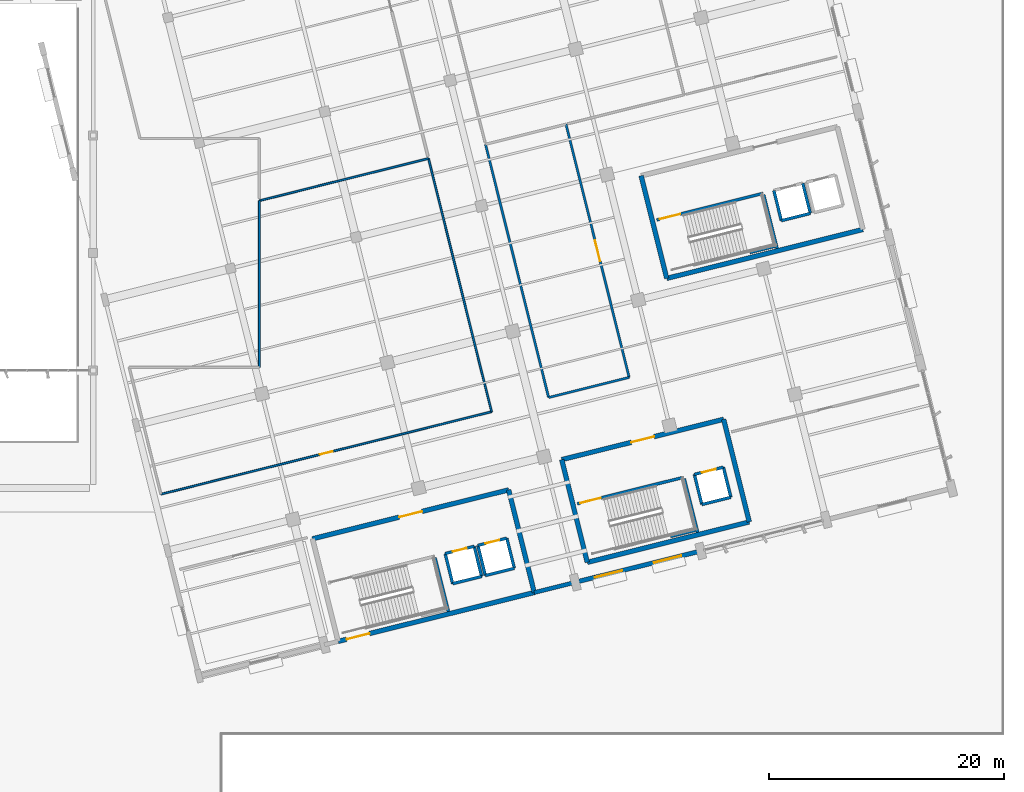
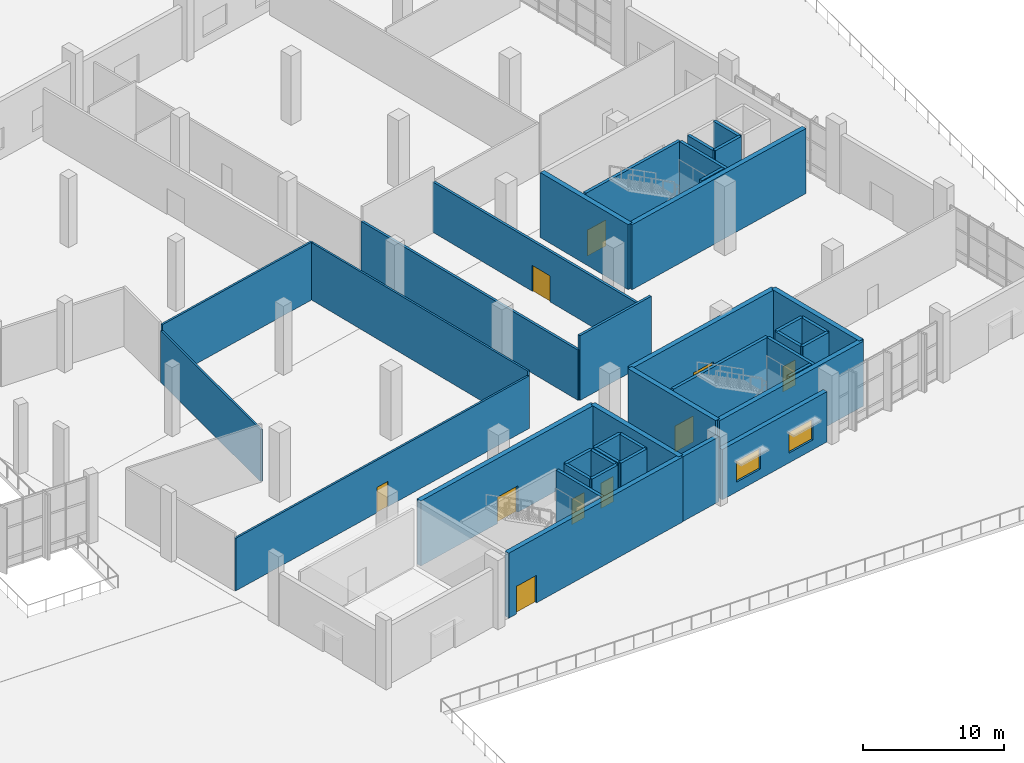
# One storey, part 127 of 163: 40 walls, 10 doors, 2 windows, 12 openings.
"""IFC4 building model written with IfcOpenShell, lengths in metres."""

import ifcopenshell
import ifcopenshell.guid

model = None  # the IFC model being written
_history = None  # IfcOwnerHistory: only IFC2X3 demands one
_inside = {}  # id of a spatial element -> (the spatial element, [elements in it])
_under = {}  # id of a project, library or spatial element -> (it, [spatial elements below it])
_declared = {}  # id of a project -> (the project, [libraries it declares])
_typed = {}  # id of a type object -> (the type object, [elements of that type])
_made_of = {}  # id of a material, layer set ... -> (it, [elements and type objects made of it])


def new_model(schema):
    """Start an empty IFC model of exactly this schema.

    Asked for "IFC4X3", IfcOpenShell would pick the latest addendum, in which some entities
    have other attributes; the version numbers below select the first issue.
    IFC2X3 requires an IfcOwnerHistory on every rooted entity: one is made here for all.
    """
    global model, _history
    if schema == "IFC4X3":
        model = ifcopenshell.file(schema_version=(4, 3, 0, 0))
    else:
        model = ifcopenshell.file(schema=schema)
    _inside.clear()
    _under.clear()
    _declared.clear()
    _typed.clear()
    _made_of.clear()
    _history = None
    if model.schema == "IFC2X3":
        org = make("IfcOrganization", Name="unknown")
        user = make(
            "IfcPersonAndOrganization",
            ThePerson=make("IfcPerson", FamilyName="unknown"),
            TheOrganization=org,
        )
        app = make(
            "IfcApplication",
            ApplicationDeveloper=org,
            Version="unknown",
            ApplicationFullName="unknown",
            ApplicationIdentifier="unknown",
        )
        _history = make(
            "IfcOwnerHistory",
            OwningUser=user,
            OwningApplication=app,
            ChangeAction="ADDED",
            CreationDate=0,
        )
    return model


def make(cls, **values):
    """One entity of the class cls with the attributes given. An attribute that is None is left unset."""
    return model.create_entity(
        cls, **{name: value for name, value in values.items() if value is not None}
    )


def rooted(cls, **values):
    """An entity with a GlobalId (a new one), such as an element, a storey or a relation."""
    return make(cls, GlobalId=ifcopenshell.guid.new(), OwnerHistory=_history, **values)


def si_unit(unit_type, name, prefix=None):
    """IfcSIUnit, for example si_unit("LENGTHUNIT", "METRE", prefix="MILLI")."""
    return make("IfcSIUnit", UnitType=unit_type, Prefix=prefix, Name=name)


def assignment(units):
    """IfcUnitAssignment: the units of a project."""
    return None if units is None else make("IfcUnitAssignment", Units=units)


def point(xyz):
    """IfcCartesianPoint."""
    return None if xyz is None else make("IfcCartesianPoint", Coordinates=xyz)


def direction(xyz):
    """IfcDirection."""
    return None if xyz is None else make("IfcDirection", DirectionRatios=xyz)


def frame(location, z_axis=None, x_axis=None):
    """IfcAxis2Placement3D, a coordinate frame: its origin and axes. An axis left out is left unset."""
    return make(
        "IfcAxis2Placement3D",
        Location=point(location),
        Axis=direction(z_axis),
        RefDirection=direction(x_axis),
    )


def frame_2d(location, x_axis=None):
    """IfcAxis2Placement2D, a coordinate frame in the plane: its origin and x axis."""
    return make(
        "IfcAxis2Placement2D", Location=point(location), RefDirection=direction(x_axis)
    )


def origin():
    """The frame at (0, 0, 0) with its axes left unset."""
    return frame((0.0, 0.0, 0.0))


def place(relative_to, where):
    """IfcLocalPlacement: puts the frame where relative to a parent placement (None: the world)."""
    return make(
        "IfcLocalPlacement", PlacementRelTo=relative_to, RelativePlacement=where
    )


def context(
    kind, dimensions, precision=None, world=None, true_north=None, identifier=None
):
    """IfcGeometricRepresentationContext, for example the 3D "Model" context."""
    return make(
        "IfcGeometricRepresentationContext",
        ContextIdentifier=identifier,
        ContextType=kind,
        CoordinateSpaceDimension=dimensions,
        Precision=precision,
        WorldCoordinateSystem=world,
        TrueNorth=true_north,
    )


def subcontext(parent, identifier, kind, view, scale=None):
    """IfcGeometricRepresentationSubContext, for example "Body" below "Model"."""
    return make(
        "IfcGeometricRepresentationSubContext",
        ContextIdentifier=identifier,
        ContextType=kind,
        ParentContext=parent,
        TargetScale=scale,
        TargetView=view,
    )


def project(units=None, contexts=None):
    """IfcProject with its units and contexts."""
    return rooted(
        "IfcProject",
        Name="project",
        RepresentationContexts=contexts,
        UnitsInContext=assignment(units),
    )


def spatial(cls, under=None, at=None, **own):
    """A site, building, storey or space (cls), placed at a placement, below another one or the project."""
    s = rooted(cls, ObjectPlacement=at, **own)
    if under is not None:
        _under.setdefault(under.id(), (under, []))[1].append(s)
    return s


def profile(cls, at=None, kind="AREA", **sizes):
    """A parametric profile (cls). Its sizes go by their IFC names, for example OverallWidth=200.0."""
    return make(cls, ProfileType=kind, Position=at, **sizes)


def rectangle(**sizes):
    """IfcRectangleProfileDef."""
    return profile("IfcRectangleProfileDef", **sizes)


def extrude(swept, where, along, depth):
    """IfcExtrudedAreaSolid: the profile swept, set in the frame where, extruded along a direction by depth."""
    return make(
        "IfcExtrudedAreaSolid",
        SweptArea=swept,
        Position=where,
        ExtrudedDirection=direction(along),
        Depth=depth,
    )


def shape(context_of_items, identifier, shape_type, items):
    """IfcShapeRepresentation: the items that make up one representation, for example the "Body"."""
    return make(
        "IfcShapeRepresentation",
        ContextOfItems=context_of_items,
        RepresentationIdentifier=identifier,
        RepresentationType=shape_type,
        Items=items,
    )


def material(Name=None, Category=None):
    """IfcMaterial."""
    return make("IfcMaterial", Name=Name, Category=Category)


def layer(
    of_material, thickness, ventilated=None, Name=None, Category=None, Priority=None
):
    """IfcMaterialLayer: one layer of a wall or slab, of a material (None: an air gap)."""
    return make(
        "IfcMaterialLayer",
        Material=of_material,
        LayerThickness=thickness,
        IsVentilated=ventilated,
        Name=Name,
        Category=Category,
        Priority=Priority,
    )


def layer_set(layers, Name=None):
    """IfcMaterialLayerSet."""
    return make("IfcMaterialLayerSet", MaterialLayers=layers, LayerSetName=Name)


def made_of(thing, what):
    """Note that an element or type object is made of a material, layer set ...; save() writes the relation."""
    if what is not None:
        _made_of.setdefault(what.id(), (what, []))[1].append(thing)
    return thing


def type_object(cls, material=None, **own):
    """A type object (cls), such as IfcWallType, which elements share."""
    return made_of(rooted(cls, **own), material)


def element(
    cls,
    number,
    at=None,
    inside=None,
    cuts=None,
    type_object=None,
    material=None,
    context=None,
    identifier="Body",
    shape_type=None,
    held_by="IfcProductDefinitionShape",
    body=None,
    shapes=None,
    **own,
):
    """One element of the class cls, such as IfcWall. Its Tag is "e" and its number.

    at: its placement. inside: the storey or other place that contains it. cuts: it is an
    opening in that element (IfcRelVoidsElement). A single representation is given by context,
    identifier, shape_type and body (its items); several are given by shapes. held_by: the class
    of the entity that holds the representations. save() writes the other relations.
    """
    e = rooted(cls, Tag="e%d" % number, ObjectPlacement=at, **own)
    if body is not None:
        shapes = [shape(context, identifier, shape_type, body)]
    if shapes is not None:
        e.Representation = make(held_by, Representations=shapes)
    if inside is not None:
        _inside.setdefault(inside.id(), (inside, []))[1].append(e)
    if cuts is not None:
        rooted(
            "IfcRelVoidsElement", RelatingBuildingElement=cuts, RelatedOpeningElement=e
        )
    if type_object is not None:
        _typed.setdefault(type_object.id(), (type_object, []))[1].append(e)
    return made_of(e, material)


def fill(opening, filler):
    """IfcRelFillsElement: the door or window that sits in an opening."""
    return rooted(
        "IfcRelFillsElement",
        RelatingOpeningElement=opening,
        RelatedBuildingElement=filler,
    )


def aggregate(whole, parts):
    """IfcRelAggregates: a whole, such as a stair, and the parts it consists of."""
    return rooted("IfcRelAggregates", RelatingObject=whole, RelatedObjects=parts)


def save(model, path):
    """Write the relations noted so far, then the file.

    IfcRelAggregates (storeys below a building ...), IfcRelContainedInSpatialStructure (elements
    in a storey), IfcRelDefinesByType, IfcRelAssociatesMaterial and IfcRelDeclares: one each for
    every whole, place, type object, material and project.
    """
    for whole, parts in _under.values():
        aggregate(whole, parts)
    for where, things in _inside.values():
        rooted(
            "IfcRelContainedInSpatialStructure",
            RelatedElements=things,
            RelatingStructure=where,
        )
    for kind, things in _typed.values():
        rooted("IfcRelDefinesByType", RelatedObjects=things, RelatingType=kind)
    for what, things in _made_of.values():
        rooted("IfcRelAssociatesMaterial", RelatedObjects=things, RelatingMaterial=what)
    for by, libraries in _declared.values():
        rooted("IfcRelDeclares", RelatingContext=by, RelatedDefinitions=libraries)
    model.write(path)


model = new_model("IFC4")

# Units and contexts
model_context = context("Model", 3, precision=1e-05, world=origin(), true_north=direction((0.0, 1.0)))
body_context = subcontext(model_context, "Body", "Model", "MODEL_VIEW")
ifc_project = project(units=[si_unit("LENGTHUNIT", "METRE"), si_unit("AREAUNIT", "SQUARE_METRE"), si_unit("VOLUMEUNIT", "CUBIC_METRE"), si_unit("PLANEANGLEUNIT", "RADIAN"), si_unit("MASSUNIT", "GRAM", prefix="KILO")], contexts=[model_context])

# Site, building, storey
site_placement = place(None, origin())
site = spatial("IfcSite", under=ifc_project, at=site_placement, CompositionType="ELEMENT")
building_placement = place(site_placement, origin())
building = spatial("IfcBuilding", under=site, at=building_placement, Name="Khorjan Park Terminus", CompositionType="ELEMENT")
storey_placement = place(building_placement, origin())
storey = spatial("IfcBuildingStorey", under=building, at=storey_placement, Name="L00", CompositionType="ELEMENT", Elevation=0.0)

# Wall
ifc_material_1 = material(Name="Concrete C50/60", Category="concrete")
ifc_layer_1 = layer(ifc_material_1, 0.4)
ifc_layer_set_1 = layer_set([ifc_layer_1], Name="Concrete C50/60")
wall_type_1 = type_object("IfcWallType", Name="CW-40", PredefinedType="SHEAR", material=ifc_layer_set_1)
wall_1_placement = place(storey_placement, frame((194.5267, 9.1125, 0.0), z_axis=(0.0, 0.0, 1.0), x_axis=(-0.241923808098, 0.970295249435, 0.0)))
element("IfcWall", 1, at=wall_1_placement, inside=storey, type_object=wall_type_1, Name="Operations West Firefighting Core concrete shear wall CW-40 (L00-E2)", PredefinedType="SHEAR", context=body_context, shape_type="SweptSolid", body=[
    extrude(rectangle(XDim=8.9999, YDim=0.4, at=frame_2d((4.5, 0.0))), origin(), (0.0, 0.0, 1.0), 5.64),
])

# Wall, opening, door
wall_2_placement = place(storey_placement, frame((192.3494, 17.8451, 0.0), z_axis=(0.0, 0.0, 1.0), x_axis=(-0.970296544738, -0.241918612906, 0.0)))
wall_2 = element("IfcWall", 2, at=wall_2_placement, inside=storey, type_object=wall_type_1, Name="Operations West Firefighting Core concrete shear wall CW-40 (L00-E3)", PredefinedType="SHEAR", context=body_context, shape_type="SweptSolid", body=[
    extrude(rectangle(XDim=17.2, YDim=0.4, at=frame_2d((8.6, 0.0))), origin(), (0.0, 0.0, 1.0), 5.64),
])
opening_1_placement = place(wall_2_placement, frame((7.6, 0.0, 0.0)))
opening_1 = element("IfcOpeningElement", 3, at=opening_1_placement, cuts=wall_2, Name="Opening FD-20", PredefinedType="OPENING", context=body_context, shape_type="SweptSolid", body=[
    extrude(rectangle(XDim=2.0, YDim=2.3, at=frame_2d((1.0, 1.15))), frame((0.0, 0.21, 0.0), z_axis=(0.0, -1.0, 0.0), x_axis=(1.0, 0.0, 0.0)), (0.0, 0.0, 1.0), 0.42),
])
ifc_material_2 = material(Name="Fire-Rated Steel Double Door", Category="steel")
door_type_1 = type_object("IfcDoorType", Name="FD-20", OperationType="NOTDEFINED", PredefinedType="DOOR", material=ifc_material_2)
door_1_placement = place(opening_1_placement, origin())
door_1 = element("IfcDoor", 4, at=door_1_placement, inside=storey, type_object=door_type_1, Name="Operations West Firefighting Core fire-rated exit door FD-20 (L00)", OperationType="DOUBLE_DOOR_SINGLE_SWING", OverallHeight=2.3, OverallWidth=2.0, PredefinedType="DOOR", context=body_context, shape_type="SweptSolid", body=[
    extrude(rectangle(XDim=2.0, YDim=2.3, at=frame_2d((1.0, 1.15))), frame((0.0, 0.025, 0.0), z_axis=(0.0, -1.0, 0.0), x_axis=(1.0, 0.0, 0.0)), (0.0, 0.0, 1.0), 0.05),
])
fill(opening_1, door_1)

# Walls
wall_3_placement = place(storey_placement, frame((205.7973, 35.8328, 0.0), z_axis=(0.0, 0.0, 1.0), x_axis=(0.970295179998, 0.241924086589, 0.0)))
element("IfcWall", 5, at=wall_3_placement, inside=storey, type_object=wall_type_1, Name="Operations North-East Firefighting Core concrete shear wall CW-40 (L00-E1)", PredefinedType="SHEAR", context=body_context, shape_type="SweptSolid", body=[
    extrude(rectangle(XDim=17.2, YDim=0.4, at=frame_2d((8.6, 0.0))), origin(), (0.0, 0.0, 1.0), 5.64),
])
wall_4_placement = place(storey_placement, frame((203.62, 44.5655, 0.0), z_axis=(0.0, 0.0, 1.0), x_axis=(0.241921199913, -0.97029589973, 0.0)))
element("IfcWall", 6, at=wall_4_placement, inside=storey, type_object=wall_type_1, Name="Operations North-East Firefighting Core concrete shear wall CW-40 (L00-E4)", PredefinedType="SHEAR", context=body_context, shape_type="SweptSolid", body=[
    extrude(rectangle(XDim=9.0, YDim=0.4, at=frame_2d((4.5, 0.0))), origin(), (0.0, 0.0, 1.0), 5.64),
])
wall_5_placement = place(storey_placement, frame((199.0395, 11.6805, 0.0), z_axis=(0.0, 0.0, 1.0), x_axis=(0.970295578967, 0.241922486422, 0.0)))
element("IfcWall", 7, at=wall_5_placement, inside=storey, type_object=wall_type_1, Name="Operations Central Command Core concrete shear wall CW-40 (L00-E1)", PredefinedType="SHEAR", context=body_context, shape_type="SweptSolid", body=[
    extrude(rectangle(XDim=14.2, YDim=0.4, at=frame_2d((7.1, 0.0))), origin(), (0.0, 0.0, 1.0), 5.64),
])
wall_6_placement = place(storey_placement, frame((212.8177, 15.1158, 0.0), z_axis=(0.0, 0.0, 1.0), x_axis=(-0.241921199913, 0.97029589973, 0.0)))
element("IfcWall", 8, at=wall_6_placement, inside=storey, type_object=wall_type_1, Name="Operations Central Command Core concrete shear wall CW-40 (L00-E2)", PredefinedType="SHEAR", context=body_context, shape_type="SweptSolid", body=[
    extrude(rectangle(XDim=9.0, YDim=0.4, at=frame_2d((4.5, 0.0))), origin(), (0.0, 0.0, 1.0), 5.64),
])

# Wall, opening, door
wall_7_placement = place(storey_placement, frame((210.6404, 23.8485, 0.0), z_axis=(0.0, 0.0, 1.0), x_axis=(-0.970295578967, -0.241922486422, 0.0)))
wall_7 = element("IfcWall", 9, at=wall_7_placement, inside=storey, type_object=wall_type_1, Name="Operations Central Command Core concrete shear wall CW-40 (L00-E3)", PredefinedType="SHEAR", context=body_context, shape_type="SweptSolid", body=[
    extrude(rectangle(XDim=14.2, YDim=0.4, at=frame_2d((7.1, 0.0))), origin(), (0.0, 0.0, 1.0), 5.64),
])
opening_2_placement = place(wall_7_placement, frame((6.1, 0.0, 0.0)))
opening_2 = element("IfcOpeningElement", 10, at=opening_2_placement, cuts=wall_7, Name="Opening FD-20", PredefinedType="OPENING", context=body_context, shape_type="SweptSolid", body=[
    extrude(rectangle(XDim=2.0, YDim=2.3, at=frame_2d((1.0, 1.15))), frame((0.0, 0.21, 0.0), z_axis=(0.0, -1.0, 0.0), x_axis=(1.0, 0.0, 0.0)), (0.0, 0.0, 1.0), 0.42),
])
door_2_placement = place(opening_2_placement, origin())
door_2 = element("IfcDoor", 11, at=door_2_placement, inside=storey, type_object=door_type_1, Name="Operations Central Command Core fire-rated exit door FD-20 (L00)", OperationType="DOUBLE_DOOR_SINGLE_SWING", OverallHeight=2.3, OverallWidth=2.0, PredefinedType="DOOR", context=body_context, shape_type="SweptSolid", body=[
    extrude(rectangle(XDim=2.0, YDim=2.3, at=frame_2d((1.0, 1.15))), frame((0.0, 0.025, 0.0), z_axis=(0.0, -1.0, 0.0), x_axis=(1.0, 0.0, 0.0)), (0.0, 0.0, 1.0), 0.05),
])
fill(opening_2, door_2)

# Wall
wall_8_placement = place(storey_placement, frame((196.8622, 20.4132, 0.0), z_axis=(0.0, 0.0, 1.0), x_axis=(0.241921199913, -0.97029589973, 0.0)))
element("IfcWall", 12, at=wall_8_placement, inside=storey, type_object=wall_type_1, Name="Operations Central Command Core concrete shear wall CW-40 (L00-E4)", PredefinedType="SHEAR", context=body_context, shape_type="SweptSolid", body=[
    extrude(rectangle(XDim=9.0, YDim=0.4, at=frame_2d((4.5, 0.0))), origin(), (0.0, 0.0, 1.0), 5.64),
])

# Wall, opening, door
ifc_layer_2 = layer(ifc_material_1, 0.4)
ifc_layer_set_2 = layer_set([ifc_layer_2], Name="Concrete C50/60")
wall_type_2 = type_object("IfcWallType", Name="CWE-40", PredefinedType="SHEAR", material=ifc_layer_set_2)
wall_9_placement = place(storey_placement, frame((177.8376, 4.9514, 0.0), z_axis=(0.0, 0.0, 1.0), x_axis=(0.970295179998, 0.241924086589, 0.0)))
wall_9 = element("IfcWall", 13, at=wall_9_placement, inside=storey, type_object=wall_type_2, Name="Operations West Firefighting Core concrete shear wall CWE-40 (L00-E1)", PredefinedType="SHEAR", context=body_context, shape_type="SweptSolid", body=[
    extrude(rectangle(XDim=17.2, YDim=0.4, at=frame_2d((8.6, 0.0))), origin(), (0.0, 0.0, 1.0), 5.64),
])
opening_3_placement = place(wall_9_placement, frame((0.75, 0.0, 0.0)))
opening_3 = element("IfcOpeningElement", 14, at=opening_3_placement, cuts=wall_9, Name="Opening ED-20", PredefinedType="OPENING", context=body_context, shape_type="SweptSolid", body=[
    extrude(rectangle(XDim=2.0, YDim=2.4, at=frame_2d((1.0, 1.2))), frame((0.0, 0.21, 0.0), z_axis=(0.0, -1.0, 0.0), x_axis=(1.0, 0.0, 0.0)), (0.0, 0.0, 1.0), 0.42),
])
ifc_material_3 = material(Name="Anodized Bronze Aluminium & Safety Glass", Category="aluminium")
door_type_2 = type_object("IfcDoorType", Name="ED-20", OperationType="NOTDEFINED", PredefinedType="DOOR", material=ifc_material_3)
door_3_placement = place(opening_3_placement, frame((2.0, 0.0, 0.0), z_axis=(0.0, 0.0, 1.0), x_axis=(-1.0, 0.0, 0.0)))
door_3 = element("IfcDoor", 15, at=door_3_placement, inside=storey, type_object=door_type_2, Name="Operations West Firefighting Core ground exit discharge door ED-20", OperationType="DOUBLE_DOOR_SINGLE_SWING", OverallHeight=2.4, OverallWidth=2.0, PredefinedType="DOOR", context=body_context, shape_type="SweptSolid", body=[
    extrude(rectangle(XDim=2.0, YDim=2.4, at=frame_2d((1.0, 1.2))), frame((0.0, 0.025, 0.0), z_axis=(0.0, -1.0, 0.0), x_axis=(1.0, 0.0, 0.0)), (0.0, 0.0, 1.0), 0.05),
])
fill(opening_3, door_3)

# Wall
ifc_material_4 = material(Name="Pigmented Precast GRC & Concrete C40/50", Category="concrete")
ifc_layer_3 = layer(ifc_material_4, 0.35)
ifc_layer_set_3 = layer_set([ifc_layer_3], Name="Pigmented Precast GRC & Concrete C40/50")
wall_type_3 = type_object("IfcWallType", Name="EW-35", PredefinedType="STANDARD", material=ifc_layer_set_3)
wall_10_placement = place(storey_placement, frame((194.5267, 9.1125, 0.0), z_axis=(0.0, 0.0, 1.0), x_axis=(0.970297528922, 0.241914665466, 0.0)))
element("IfcWall", 16, at=wall_10_placement, inside=storey, type_object=wall_type_3, Name="External pigmented-GRC core infill wall EW-35 (EW-V5-K3P-L00-2)", PredefinedType="STANDARD", context=body_context, shape_type="SweptSolid", body=[
    extrude(rectangle(XDim=3.6, YDim=0.35, at=frame_2d((1.8, 0.0))), origin(), (0.0, 0.0, 1.0), 5.625),
])

# Wall, openings, windows
ifc_layer_4 = layer(ifc_material_4, 0.38)
ifc_layer_set_4 = layer_set([ifc_layer_4], Name="Pigmented Precast GRC & Concrete C40/50")
wall_type_4 = type_object("IfcWallType", Name="EW-38", PredefinedType="STANDARD", material=ifc_layer_set_4)
wall_11_placement = place(storey_placement, frame((198.3255, 10.0596, 0.0), z_axis=(0.0, 0.0, 1.0), x_axis=(0.970293766674, 0.241929755, 0.0)))
wall_11 = element("IfcWall", 17, at=wall_11_placement, inside=storey, type_object=wall_type_4, Name="External pigmented-GRC insulated wall EW-38 (EW-V5-S-L00-B04)", PredefinedType="STANDARD", context=body_context, shape_type="SweptSolid", body=[
    extrude(rectangle(XDim=10.37, YDim=0.38, at=frame_2d((5.185, 0.0))), origin(), (0.0, 0.0, 1.0), 4.365),
])
opening_4_placement = place(wall_11_placement, frame((1.3925, 0.0, 0.85)))
opening_4 = element("IfcOpeningElement", 18, at=opening_4_placement, cuts=wall_11, Name="Opening WN-24", PredefinedType="OPENING", context=body_context, shape_type="SweptSolid", body=[
    extrude(rectangle(XDim=2.4, YDim=1.8, at=frame_2d((1.2, 0.9))), frame((0.0, 0.2, 0.0), z_axis=(0.0, -1.0, 0.0), x_axis=(1.0, 0.0, 0.0)), (0.0, 0.0, 1.0), 0.4),
])
opening_5_placement = place(wall_11_placement, frame((6.5775, 0.0, 0.85)))
opening_5 = element("IfcOpeningElement", 19, at=opening_5_placement, cuts=wall_11, Name="Opening WN-24", PredefinedType="OPENING", context=body_context, shape_type="SweptSolid", body=[
    extrude(rectangle(XDim=2.4, YDim=1.8, at=frame_2d((1.2, 0.9))), frame((0.0, 0.2, 0.0), z_axis=(0.0, -1.0, 0.0), x_axis=(1.0, 0.0, 0.0)), (0.0, 0.0, 1.0), 0.4),
])
ifc_material_5 = material(Name="Anodized Bronze Aluminium & Low-E Glass", Category="aluminium")
window_type = type_object("IfcWindowType", Name="WN-24", PartitioningType="SINGLE_PANEL", PredefinedType="WINDOW", material=ifc_material_5)
window_1_placement = place(opening_4_placement, origin())
window_1 = element("IfcWindow", 20, at=window_1_placement, inside=storey, type_object=window_type, Name="Solar-control exterior window WN-24 (WN-EW-V5-S-L00-B04-1)", OverallHeight=1.8, OverallWidth=2.4, PartitioningType="SINGLE_PANEL", PredefinedType="WINDOW", context=body_context, shape_type="SweptSolid", body=[
    extrude(rectangle(XDim=2.4, YDim=1.8, at=frame_2d((1.2, 0.9))), frame((0.0, 0.03, 0.0), z_axis=(0.0, -1.0, 0.0), x_axis=(1.0, 0.0, 0.0)), (0.0, 0.0, 1.0), 0.06),
])
fill(opening_4, window_1)
window_2_placement = place(opening_5_placement, origin())
window_2 = element("IfcWindow", 21, at=window_2_placement, inside=storey, type_object=window_type, Name="Solar-control exterior window WN-24 (WN-EW-V5-S-L00-B04-2)", OverallHeight=1.8, OverallWidth=2.4, PartitioningType="SINGLE_PANEL", PredefinedType="WINDOW", context=body_context, shape_type="SweptSolid", body=[
    extrude(rectangle(XDim=2.4, YDim=1.8, at=frame_2d((1.2, 0.9))), frame((0.0, 0.03, 0.0), z_axis=(0.0, -1.0, 0.0), x_axis=(1.0, 0.0, 0.0)), (0.0, 0.0, 1.0), 0.06),
])
fill(opening_5, window_2)

# Wall
ifc_material_6 = material(Name="Insulated Metal-Stud Acoustic Partition")
ifc_layer_5 = layer(ifc_material_6, 0.16)
ifc_layer_set_5 = layer_set([ifc_layer_5], Name="Insulated Metal-Stud Acoustic Partition")
wall_type_5 = type_object("IfcWallType", Name="PT-16", PredefinedType="PARTITIONING", material=ifc_layer_set_5)
wall_12_placement = place(storey_placement, frame((185.5277, 46.0321, 0.0), z_axis=(0.0, 0.0, 1.0), x_axis=(0.241924022604, -0.970295195952, 0.0)))
element("IfcWall", 22, at=wall_12_placement, inside=storey, type_object=wall_type_5, Name="Interior acoustic partition PT-16 (L00-POL)", PredefinedType="PARTITIONING", context=body_context, shape_type="SweptSolid", body=[
    extrude(rectangle(XDim=22.1999, YDim=0.16, at=frame_2d((11.0999, 0.0))), origin(), (0.0, 0.0, 1.0), 4.975),
])

# Wall, opening, door
wall_13_placement = place(storey_placement, frame((190.8984, 24.4916, 0.0), z_axis=(0.0, 0.0, 1.0), x_axis=(-0.97029524823, -0.241923812931, 0.0)))
wall_13 = element("IfcWall", 23, at=wall_13_placement, inside=storey, type_object=wall_type_5, Name="Interior acoustic partition PT-16 (L00-POL)", PredefinedType="PARTITIONING", context=body_context, shape_type="SweptSolid", body=[
    extrude(rectangle(XDim=29.0, YDim=0.16, at=frame_2d((14.5, 0.0))), origin(), (0.0, 0.0, 1.0), 4.565),
])
opening_6_placement = place(wall_13_placement, frame((13.95, 0.0, 0.0)))
opening_6 = element("IfcOpeningElement", 24, at=opening_6_placement, cuts=wall_13, Name="Opening ID-11", PredefinedType="OPENING", context=body_context, shape_type="SweptSolid", body=[
    extrude(rectangle(XDim=1.1, YDim=2.2, at=frame_2d((0.55, 1.1))), frame((0.0, 0.09, 0.0), z_axis=(0.0, -1.0, 0.0), x_axis=(1.0, 0.0, 0.0)), (0.0, 0.0, 1.0), 0.18),
])
ifc_material_7 = material(Name="Acoustic Hardwood Single Door", Category="wood")
door_type_3 = type_object("IfcDoorType", Name="ID-11", OperationType="NOTDEFINED", PredefinedType="DOOR", material=ifc_material_7)
door_4_placement = place(opening_6_placement, origin())
door_4 = element("IfcDoor", 25, at=door_4_placement, inside=storey, type_object=door_type_3, Name="Interior door ID-11 (L00-POL)", OperationType="SINGLE_SWING_LEFT", OverallHeight=2.2, OverallWidth=1.1, PredefinedType="DOOR", context=body_context, shape_type="SweptSolid", body=[
    extrude(rectangle(XDim=1.1, YDim=2.2, at=frame_2d((0.55, 1.1))), frame((0.0, 0.025, 0.0), z_axis=(0.0, -1.0, 0.0), x_axis=(1.0, 0.0, 0.0)), (0.0, 0.0, 1.0), 0.05),
])
fill(opening_6, door_4)

# Walls
wall_14_placement = place(storey_placement, frame((171.14, 28.26, 0.0), z_axis=(0.0, 0.0, 1.0), x_axis=(0.0, 1.0, 0.0)))
element("IfcWall", 26, at=wall_14_placement, inside=storey, type_object=wall_type_5, Name="Interior acoustic partition PT-16 (L00-POL)", PredefinedType="PARTITIONING", context=body_context, shape_type="SweptSolid", body=[
    extrude(rectangle(XDim=14.1849, YDim=0.16, at=frame_2d((7.0925, 0.0))), origin(), (0.0, 0.0, 1.0), 4.515),
])
wall_15_placement = place(storey_placement, frame((171.14, 42.4449, 0.0), z_axis=(0.0, 0.0, 1.0), x_axis=(0.970296620791, 0.241918307867, 0.0)))
element("IfcWall", 27, at=wall_15_placement, inside=storey, type_object=wall_type_5, Name="Interior acoustic partition PT-16 (L00-POL)", PredefinedType="PARTITIONING", context=body_context, shape_type="SweptSolid", body=[
    extrude(rectangle(XDim=14.8281, YDim=0.16, at=frame_2d((7.414, 0.0))), origin(), (0.0, 0.0, 1.0), 5.025),
])

# Wall, opening, door
ifc_material_8 = material(Name="Fire-Rated Acoustic Masonry & Drywall", Category="masonry")
ifc_layer_6 = layer(ifc_material_8, 0.2)
ifc_layer_set_6 = layer_set([ifc_layer_6], Name="Fire-Rated Acoustic Masonry & Drywall")
wall_type_6 = type_object("IfcWallType", Name="PT-20", PredefinedType="PARTITIONING", material=ifc_layer_set_6)
wall_16_placement = place(storey_placement, frame((197.2295, 48.9497, 0.0), z_axis=(0.0, 0.0, 1.0), x_axis=(0.241924022604, -0.970295195952, 0.0)))
wall_16 = element("IfcWall", 28, at=wall_16_placement, inside=storey, type_object=wall_type_6, Name="Interior acoustic partition PT-20 (L00-CUST)", PredefinedType="PARTITIONING", context=body_context, shape_type="SweptSolid", body=[
    extrude(rectangle(XDim=22.1999, YDim=0.2, at=frame_2d((11.0999, 0.0))), origin(), (0.0, 0.0, 1.0), 4.365),
])
opening_7_placement = place(wall_16_placement, frame((10.2, 0.0, 0.0)))
opening_7 = element("IfcOpeningElement", 29, at=opening_7_placement, cuts=wall_16, Name="Opening FD-18", PredefinedType="OPENING", context=body_context, shape_type="SweptSolid", body=[
    extrude(rectangle(XDim=1.8, YDim=2.25, at=frame_2d((0.9, 1.125))), frame((0.0, 0.11, 0.0), z_axis=(0.0, -1.0, 0.0), x_axis=(1.0, 0.0, 0.0)), (0.0, 0.0, 1.0), 0.22),
])
door_type_4 = type_object("IfcDoorType", Name="FD-18", OperationType="NOTDEFINED", PredefinedType="DOOR", material=ifc_material_2)
door_5_placement = place(opening_7_placement, origin())
door_5 = element("IfcDoor", 30, at=door_5_placement, inside=storey, type_object=door_type_4, Name="Interior door FD-18 (L00-CUST)", OperationType="DOUBLE_DOOR_SINGLE_SWING", OverallHeight=2.25, OverallWidth=1.8, PredefinedType="DOOR", context=body_context, shape_type="SweptSolid", body=[
    extrude(rectangle(XDim=1.8, YDim=2.25, at=frame_2d((0.9, 1.125))), frame((0.0, 0.025, 0.0), z_axis=(0.0, -1.0, 0.0), x_axis=(1.0, 0.0, 0.0)), (0.0, 0.0, 1.0), 0.05),
])
fill(opening_7, door_5)

# Walls
wall_17_placement = place(storey_placement, frame((202.6002, 27.4092, 0.0), z_axis=(0.0, 0.0, 1.0), x_axis=(-0.970294782603, -0.241925680435, 0.0)))
element("IfcWall", 31, at=wall_17_placement, inside=storey, type_object=wall_type_6, Name="Interior acoustic partition PT-20 (L00-CUST)", PredefinedType="PARTITIONING", context=body_context, shape_type="SweptSolid", body=[
    extrude(rectangle(XDim=7.06, YDim=0.2, at=frame_2d((3.53, 0.0))), origin(), (0.0, 0.0, 1.0), 5.62),
])
wall_18_placement = place(storey_placement, frame((195.7499, 25.7012, 0.0), z_axis=(0.0, 0.0, 1.0), x_axis=(-0.241924022604, 0.970295195952, 0.0)))
element("IfcWall", 32, at=wall_18_placement, inside=storey, type_object=wall_type_6, Name="Interior acoustic partition PT-20 (L00-CUST)", PredefinedType="PARTITIONING", context=body_context, shape_type="SweptSolid", body=[
    extrude(rectangle(XDim=22.1999, YDim=0.2, at=frame_2d((11.0999, 0.0))), origin(), (0.0, 0.0, 1.0), 4.365),
])
ifc_material_9 = material(Name="Concrete C40/50", Category="concrete")
ifc_layer_7 = layer(ifc_material_9, 0.25)
ifc_layer_set_7 = layer_set([ifc_layer_7], Name="Concrete C40/50")
wall_type_7 = type_object("IfcWallType", Name="SW-25", PredefinedType="SOLIDWALL", material=ifc_layer_set_7)
wall_19_placement = place(storey_placement, frame((187.5883, 9.8663, 0.0), z_axis=(0.0, 0.0, 1.0), x_axis=(0.97029284861, 0.241933436994, 0.0)))
element("IfcWall", 33, at=wall_19_placement, inside=storey, type_object=wall_type_7, Name="Lift L05 concrete shaft wall SW-25 (L00-1)", PredefinedType="SOLIDWALL", context=body_context, shape_type="SweptSolid", body=[
    extrude(rectangle(XDim=2.54, YDim=0.25, at=frame_2d((1.27, 0.0))), origin(), (0.0, 0.0, 1.0), 5.64),
])
wall_20_placement = place(storey_placement, frame((190.0528, 10.4808, 0.0), z_axis=(0.0, 0.0, 1.0), x_axis=(-0.241938414856, 0.970291607413, 0.0)))
element("IfcWall", 34, at=wall_20_placement, inside=storey, type_object=wall_type_7, Name="Lift L05 concrete shaft wall SW-25 (L00-2)", PredefinedType="SOLIDWALL", context=body_context, shape_type="SweptSolid", body=[
    extrude(rectangle(XDim=2.6399, YDim=0.25, at=frame_2d((1.3199, 0.0))), origin(), (0.0, 0.0, 1.0), 5.64),
])

# Wall, opening, door
wall_21_placement = place(storey_placement, frame((189.4141, 13.0423, 0.0), z_axis=(0.0, 0.0, 1.0), x_axis=(-0.97029284861, -0.241933436994, 0.0)))
wall_21 = element("IfcWall", 35, at=wall_21_placement, inside=storey, type_object=wall_type_7, Name="Lift L05 concrete shaft wall SW-25 (L00-3)", PredefinedType="SOLIDWALL", context=body_context, shape_type="SweptSolid", body=[
    extrude(rectangle(XDim=2.54, YDim=0.25, at=frame_2d((1.27, 0.0))), origin(), (0.0, 0.0, 1.0), 5.64),
])
opening_8_placement = place(wall_21_placement, frame((0.67, 0.0, 0.0)))
opening_8 = element("IfcOpeningElement", 36, at=opening_8_placement, cuts=wall_21, Name="Opening LD-12", PredefinedType="OPENING", context=body_context, shape_type="SweptSolid", body=[
    extrude(rectangle(XDim=1.2, YDim=2.2, at=frame_2d((0.6, 1.1))), frame((0.0, 0.135, 0.0), z_axis=(0.0, -1.0, 0.0), x_axis=(1.0, 0.0, 0.0)), (0.0, 0.0, 1.0), 0.27),
])
ifc_material_10 = material(Name="Stainless-Steel Lift Landing Sliding Door", Category="steel")
door_type_5 = type_object("IfcDoorType", Name="LD-12", OperationType="NOTDEFINED", PredefinedType="DOOR", material=ifc_material_10)
door_6_placement = place(opening_8_placement, origin())
door_6 = element("IfcDoor", 37, at=door_6_placement, inside=storey, type_object=door_type_5, Name="Lift L05 sliding landing door LD-12 (L00)", OperationType="SLIDING_TO_LEFT", OverallHeight=2.2, OverallWidth=1.2, PredefinedType="DOOR", context=body_context, shape_type="SweptSolid", body=[
    extrude(rectangle(XDim=1.2, YDim=2.2, at=frame_2d((0.6, 1.1))), frame((0.0, 0.025, 0.0), z_axis=(0.0, -1.0, 0.0), x_axis=(1.0, 0.0, 0.0)), (0.0, 0.0, 1.0), 0.05),
])
fill(opening_8, door_6)

# Walls
wall_22_placement = place(storey_placement, frame((186.9496, 12.4278, 0.0), z_axis=(0.0, 0.0, 1.0), x_axis=(0.241938414856, -0.970291607413, 0.0)))
element("IfcWall", 38, at=wall_22_placement, inside=storey, type_object=wall_type_7, Name="Lift L05 concrete shaft wall SW-25 (L00-4)", PredefinedType="SOLIDWALL", context=body_context, shape_type="SweptSolid", body=[
    extrude(rectangle(XDim=2.6399, YDim=0.25, at=frame_2d((1.3199, 0.0))), origin(), (0.0, 0.0, 1.0), 5.64),
])
wall_23_placement = place(storey_placement, frame((190.3633, 10.5582, 0.0), z_axis=(0.0, 0.0, 1.0), x_axis=(0.97029284861, 0.241933436994, 0.0)))
element("IfcWall", 39, at=wall_23_placement, inside=storey, type_object=wall_type_7, Name="Lift L06 concrete shaft wall SW-25 (L00-1)", PredefinedType="SOLIDWALL", context=body_context, shape_type="SweptSolid", body=[
    extrude(rectangle(XDim=2.54, YDim=0.25, at=frame_2d((1.27, 0.0))), origin(), (0.0, 0.0, 1.0), 5.64),
])
wall_24_placement = place(storey_placement, frame((192.8278, 11.1727, 0.0), z_axis=(0.0, 0.0, 1.0), x_axis=(-0.241938414856, 0.970291607413, 0.0)))
element("IfcWall", 40, at=wall_24_placement, inside=storey, type_object=wall_type_7, Name="Lift L06 concrete shaft wall SW-25 (L00-2)", PredefinedType="SOLIDWALL", context=body_context, shape_type="SweptSolid", body=[
    extrude(rectangle(XDim=2.6399, YDim=0.25, at=frame_2d((1.3199, 0.0))), origin(), (0.0, 0.0, 1.0), 5.64),
])

# Wall, opening, door
wall_25_placement = place(storey_placement, frame((192.1891, 13.7342, 0.0), z_axis=(0.0, 0.0, 1.0), x_axis=(-0.97029284861, -0.241933436994, 0.0)))
wall_25 = element("IfcWall", 41, at=wall_25_placement, inside=storey, type_object=wall_type_7, Name="Lift L06 concrete shaft wall SW-25 (L00-3)", PredefinedType="SOLIDWALL", context=body_context, shape_type="SweptSolid", body=[
    extrude(rectangle(XDim=2.54, YDim=0.25, at=frame_2d((1.27, 0.0))), origin(), (0.0, 0.0, 1.0), 5.64),
])
opening_9_placement = place(wall_25_placement, frame((0.67, 0.0, 0.0)))
opening_9 = element("IfcOpeningElement", 42, at=opening_9_placement, cuts=wall_25, Name="Opening LD-12", PredefinedType="OPENING", context=body_context, shape_type="SweptSolid", body=[
    extrude(rectangle(XDim=1.2, YDim=2.2, at=frame_2d((0.6, 1.1))), frame((0.0, 0.135, 0.0), z_axis=(0.0, -1.0, 0.0), x_axis=(1.0, 0.0, 0.0)), (0.0, 0.0, 1.0), 0.27),
])
door_7_placement = place(opening_9_placement, origin())
door_7 = element("IfcDoor", 43, at=door_7_placement, inside=storey, type_object=door_type_5, Name="Lift L06 sliding landing door LD-12 (L00)", OperationType="SLIDING_TO_RIGHT", OverallHeight=2.2, OverallWidth=1.2, PredefinedType="DOOR", context=body_context, shape_type="SweptSolid", body=[
    extrude(rectangle(XDim=1.2, YDim=2.2, at=frame_2d((0.6, 1.1))), frame((0.0, 0.025, 0.0), z_axis=(0.0, -1.0, 0.0), x_axis=(1.0, 0.0, 0.0)), (0.0, 0.0, 1.0), 0.05),
])
fill(opening_9, door_7)

# Walls
wall_26_placement = place(storey_placement, frame((189.7246, 13.1197, 0.0), z_axis=(0.0, 0.0, 1.0), x_axis=(0.241938414856, -0.970291607413, 0.0)))
element("IfcWall", 44, at=wall_26_placement, inside=storey, type_object=wall_type_7, Name="Lift L06 concrete shaft wall SW-25 (L00-4)", PredefinedType="SOLIDWALL", context=body_context, shape_type="SweptSolid", body=[
    extrude(rectangle(XDim=2.6399, YDim=0.25, at=frame_2d((1.3199, 0.0))), origin(), (0.0, 0.0, 1.0), 5.64),
])
wall_27_placement = place(storey_placement, frame((215.548, 40.7477, 0.0), z_axis=(0.0, 0.0, 1.0), x_axis=(0.97029284861, 0.241933436994, 0.0)))
element("IfcWall", 45, at=wall_27_placement, inside=storey, type_object=wall_type_7, Name="Lift L07 concrete shaft wall SW-25 (L00-1)", PredefinedType="SOLIDWALL", context=body_context, shape_type="SweptSolid", body=[
    extrude(rectangle(XDim=2.54, YDim=0.25, at=frame_2d((1.27, 0.0))), origin(), (0.0, 0.0, 1.0), 5.64),
])
for number, where, z_axis, x_axis, name in (
    (46, (218.0125, 41.3622, 0.0), (0.0, 0.0, 1.0), (-0.241938414856, 0.970291607413, 0.0), "Lift L07 concrete shaft wall SW-25 (L00-2)"),
    (47, (214.9093, 43.3092, 0.0), (0.0, 0.0, 1.0), (0.241938414856, -0.970291607413, 0.0), "Lift L07 concrete shaft wall SW-25 (L00-4)"),
):
    element("IfcWall", number, at=place(storey_placement, frame(where, z_axis=z_axis, x_axis=x_axis)), inside=storey, type_object=wall_type_7, Name=name, PredefinedType="SOLIDWALL", context=body_context, shape_type="SweptSolid", body=[
        extrude(rectangle(XDim=2.6399, YDim=0.25, at=frame_2d((1.3199, 0.0))), origin(), (0.0, 0.0, 1.0), 5.64),
    ])
wall_28_placement = place(storey_placement, frame((208.7902, 16.5954, 0.0), z_axis=(0.0, 0.0, 1.0), x_axis=(0.97029284861, 0.241933436994, 0.0)))
element("IfcWall", 48, at=wall_28_placement, inside=storey, type_object=wall_type_7, Name="Lift L12 concrete shaft wall SW-25 (L00-1)", PredefinedType="SOLIDWALL", context=body_context, shape_type="SweptSolid", body=[
    extrude(rectangle(XDim=2.54, YDim=0.25, at=frame_2d((1.27, 0.0))), origin(), (0.0, 0.0, 1.0), 5.64),
])
wall_29_placement = place(storey_placement, frame((211.2547, 17.2099, 0.0), z_axis=(0.0, 0.0, 1.0), x_axis=(-0.241938414856, 0.970291607413, 0.0)))
element("IfcWall", 49, at=wall_29_placement, inside=storey, type_object=wall_type_7, Name="Lift L12 concrete shaft wall SW-25 (L00-2)", PredefinedType="SOLIDWALL", context=body_context, shape_type="SweptSolid", body=[
    extrude(rectangle(XDim=2.6399, YDim=0.25, at=frame_2d((1.3199, 0.0))), origin(), (0.0, 0.0, 1.0), 5.64),
])

# Wall, opening, door
wall_30_placement = place(storey_placement, frame((210.616, 19.7714, 0.0), z_axis=(0.0, 0.0, 1.0), x_axis=(-0.97029284861, -0.241933436994, 0.0)))
wall_30 = element("IfcWall", 50, at=wall_30_placement, inside=storey, type_object=wall_type_7, Name="Lift L12 concrete shaft wall SW-25 (L00-3)", PredefinedType="SOLIDWALL", context=body_context, shape_type="SweptSolid", body=[
    extrude(rectangle(XDim=2.54, YDim=0.25, at=frame_2d((1.27, 0.0))), origin(), (0.0, 0.0, 1.0), 5.64),
])
opening_10_placement = place(wall_30_placement, frame((0.67, 0.0, 0.0)))
opening_10 = element("IfcOpeningElement", 51, at=opening_10_placement, cuts=wall_30, Name="Opening LD-12", PredefinedType="OPENING", context=body_context, shape_type="SweptSolid", body=[
    extrude(rectangle(XDim=1.2, YDim=2.2, at=frame_2d((0.6, 1.1))), frame((0.0, 0.135, 0.0), z_axis=(0.0, -1.0, 0.0), x_axis=(1.0, 0.0, 0.0)), (0.0, 0.0, 1.0), 0.27),
])
door_8_placement = place(opening_10_placement, origin())
door_8 = element("IfcDoor", 52, at=door_8_placement, inside=storey, type_object=door_type_5, Name="Lift L12 sliding landing door LD-12 (L00)", OperationType="SLIDING_TO_LEFT", OverallHeight=2.2, OverallWidth=1.2, PredefinedType="DOOR", context=body_context, shape_type="SweptSolid", body=[
    extrude(rectangle(XDim=1.2, YDim=2.2, at=frame_2d((0.6, 1.1))), frame((0.0, 0.025, 0.0), z_axis=(0.0, -1.0, 0.0), x_axis=(1.0, 0.0, 0.0)), (0.0, 0.0, 1.0), 0.05),
])
fill(opening_10, door_8)

# Walls
wall_31_placement = place(storey_placement, frame((208.1515, 19.1569, 0.0), z_axis=(0.0, 0.0, 1.0), x_axis=(0.241938414856, -0.970291607413, 0.0)))
element("IfcWall", 53, at=wall_31_placement, inside=storey, type_object=wall_type_7, Name="Lift L12 concrete shaft wall SW-25 (L00-4)", PredefinedType="SOLIDWALL", context=body_context, shape_type="SweptSolid", body=[
    extrude(rectangle(XDim=2.6399, YDim=0.25, at=frame_2d((1.3199, 0.0))), origin(), (0.0, 0.0, 1.0), 5.64),
])
wall_32_placement = place(storey_placement, frame((187.2253, 7.4981, 0.0), z_axis=(0.0, 0.0, 1.0), x_axis=(-0.241911120435, 0.970298412763, 0.0)))
element("IfcWall", 54, at=wall_32_placement, inside=storey, type_object=wall_type_7, Name="Operations West Firefighting Core stairwell end bearing wall SW-25 (L00)", PredefinedType="SOLIDWALL", context=body_context, shape_type="SweptSolid", body=[
    extrude(rectangle(XDim=4.71, YDim=0.25, at=frame_2d((2.355, 0.0))), origin(), (0.0, 0.0, 1.0), 5.62),
])

# Wall, opening, door
wall_33_placement = place(storey_placement, frame((204.9479, 40.8102, 0.0), z_axis=(0.0, 0.0, 1.0), x_axis=(0.970297151331, 0.241916179943, 0.0)))
wall_33 = element("IfcWall", 55, at=wall_33_placement, inside=storey, type_object=wall_type_7, Name="Operations North-East Firefighting Core structural stairwell wall SW-25 (L00)", PredefinedType="SOLIDWALL", context=body_context, shape_type="SweptSolid", body=[
    extrude(rectangle(XDim=9.345, YDim=0.25, at=frame_2d((4.6725, 0.0))), origin(), (0.0, 0.0, 1.0), 5.62),
])
opening_11_placement = place(wall_33_placement, frame((0.25, 0.0, 0.0)))
opening_11 = element("IfcOpeningElement", 56, at=opening_11_placement, cuts=wall_33, Name="Opening FD-18", PredefinedType="OPENING", context=body_context, shape_type="SweptSolid", body=[
    extrude(rectangle(XDim=1.8, YDim=2.25, at=frame_2d((0.9, 1.125))), frame((0.0, 0.135, 0.0), z_axis=(0.0, -1.0, 0.0), x_axis=(1.0, 0.0, 0.0)), (0.0, 0.0, 1.0), 0.27),
])
door_9_placement = place(opening_11_placement, origin())
door_9 = element("IfcDoor", 57, at=door_9_placement, inside=storey, type_object=door_type_4, Name="Operations North-East Firefighting Core stairwell fire door FD-18 (L00)", OperationType="DOUBLE_DOOR_SINGLE_SWING", OverallHeight=2.25, OverallWidth=1.8, PredefinedType="DOOR", context=body_context, shape_type="SweptSolid", body=[
    extrude(rectangle(XDim=1.8, YDim=2.25, at=frame_2d((0.9, 1.125))), frame((0.0, 0.025, 0.0), z_axis=(0.0, -1.0, 0.0), x_axis=(1.0, 0.0, 0.0)), (0.0, 0.0, 1.0), 0.05),
])
fill(opening_11, door_9)

# Walls
wall_34_placement = place(storey_placement, frame((215.185, 38.3795, 0.0), z_axis=(0.0, 0.0, 1.0), x_axis=(-0.241911120435, 0.970298412763, 0.0)))
element("IfcWall", 58, at=wall_34_placement, inside=storey, type_object=wall_type_7, Name="Operations North-East Firefighting Core stairwell end bearing wall SW-25 (L00)", PredefinedType="SOLIDWALL", context=body_context, shape_type="SweptSolid", body=[
    extrude(rectangle(XDim=4.71, YDim=0.25, at=frame_2d((2.355, 0.0))), origin(), (0.0, 0.0, 1.0), 5.62),
])
wall_35_placement = place(storey_placement, frame((212.8747, 38.0354, 0.0), z_axis=(0.0, 0.0, 1.0), x_axis=(0.97029738597, 0.241915238833, 0.0)))
element("IfcWall", 59, at=wall_35_placement, inside=storey, type_object=wall_type_7, Name="Operations North-East Firefighting Core half-landing bearing wall SW-25 (L00)", PredefinedType="SOLIDWALL", context=body_context, shape_type="SweptSolid", body=[
    extrude(rectangle(XDim=2.1999, YDim=0.25, at=frame_2d((1.0999, 0.0))), origin(), (0.0, 0.0, 1.0), 5.62),
])

# Wall, opening, door
wall_36_placement = place(storey_placement, frame((198.1901, 16.6579, 0.0), z_axis=(0.0, 0.0, 1.0), x_axis=(0.970297151331, 0.241916179943, 0.0)))
wall_36 = element("IfcWall", 60, at=wall_36_placement, inside=storey, type_object=wall_type_7, Name="Operations Central Command Core structural stairwell wall SW-25 (L00)", PredefinedType="SOLIDWALL", context=body_context, shape_type="SweptSolid", body=[
    extrude(rectangle(XDim=9.345, YDim=0.25, at=frame_2d((4.6725, 0.0))), origin(), (0.0, 0.0, 1.0), 5.62),
])
opening_12_placement = place(wall_36_placement, frame((0.25, 0.0, 0.0)))
opening_12 = element("IfcOpeningElement", 61, at=opening_12_placement, cuts=wall_36, Name="Opening FD-18", PredefinedType="OPENING", context=body_context, shape_type="SweptSolid", body=[
    extrude(rectangle(XDim=1.8, YDim=2.25, at=frame_2d((0.9, 1.125))), frame((0.0, 0.135, 0.0), z_axis=(0.0, -1.0, 0.0), x_axis=(1.0, 0.0, 0.0)), (0.0, 0.0, 1.0), 0.27),
])
door_10_placement = place(opening_12_placement, origin())
door_10 = element("IfcDoor", 62, at=door_10_placement, inside=storey, type_object=door_type_4, Name="Operations Central Command Core stairwell fire door FD-18 (L00)", OperationType="DOUBLE_DOOR_SINGLE_SWING", OverallHeight=2.25, OverallWidth=1.8, PredefinedType="DOOR", context=body_context, shape_type="SweptSolid", body=[
    extrude(rectangle(XDim=1.8, YDim=2.25, at=frame_2d((0.9, 1.125))), frame((0.0, 0.025, 0.0), z_axis=(0.0, -1.0, 0.0), x_axis=(1.0, 0.0, 0.0)), (0.0, 0.0, 1.0), 0.05),
])
fill(opening_12, door_10)

# Walls
wall_37_placement = place(storey_placement, frame((208.4272, 14.2272, 0.0), z_axis=(0.0, 0.0, 1.0), x_axis=(-0.241911120435, 0.970298412763, 0.0)))
element("IfcWall", 63, at=wall_37_placement, inside=storey, type_object=wall_type_7, Name="Operations Central Command Core stairwell end bearing wall SW-25 (L00)", PredefinedType="SOLIDWALL", context=body_context, shape_type="SweptSolid", body=[
    extrude(rectangle(XDim=4.71, YDim=0.25, at=frame_2d((2.355, 0.0))), origin(), (0.0, 0.0, 1.0), 5.62),
])
wall_38_placement = place(storey_placement, frame((206.1169, 13.8831, 0.0), z_axis=(0.0, 0.0, 1.0), x_axis=(0.97029738597, 0.241915238833, 0.0)))
element("IfcWall", 64, at=wall_38_placement, inside=storey, type_object=wall_type_7, Name="Operations Central Command Core half-landing bearing wall SW-25 (L00)", PredefinedType="SOLIDWALL", context=body_context, shape_type="SweptSolid", body=[
    extrude(rectangle(XDim=2.1999, YDim=0.25, at=frame_2d((1.0999, 0.0))), origin(), (0.0, 0.0, 1.0), 5.62),
])

save(model, "model.ifc")
